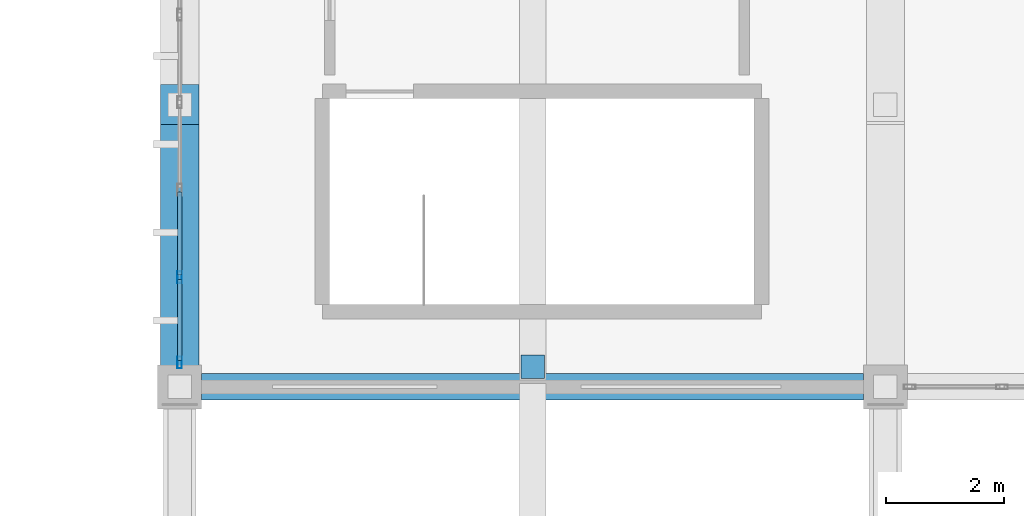
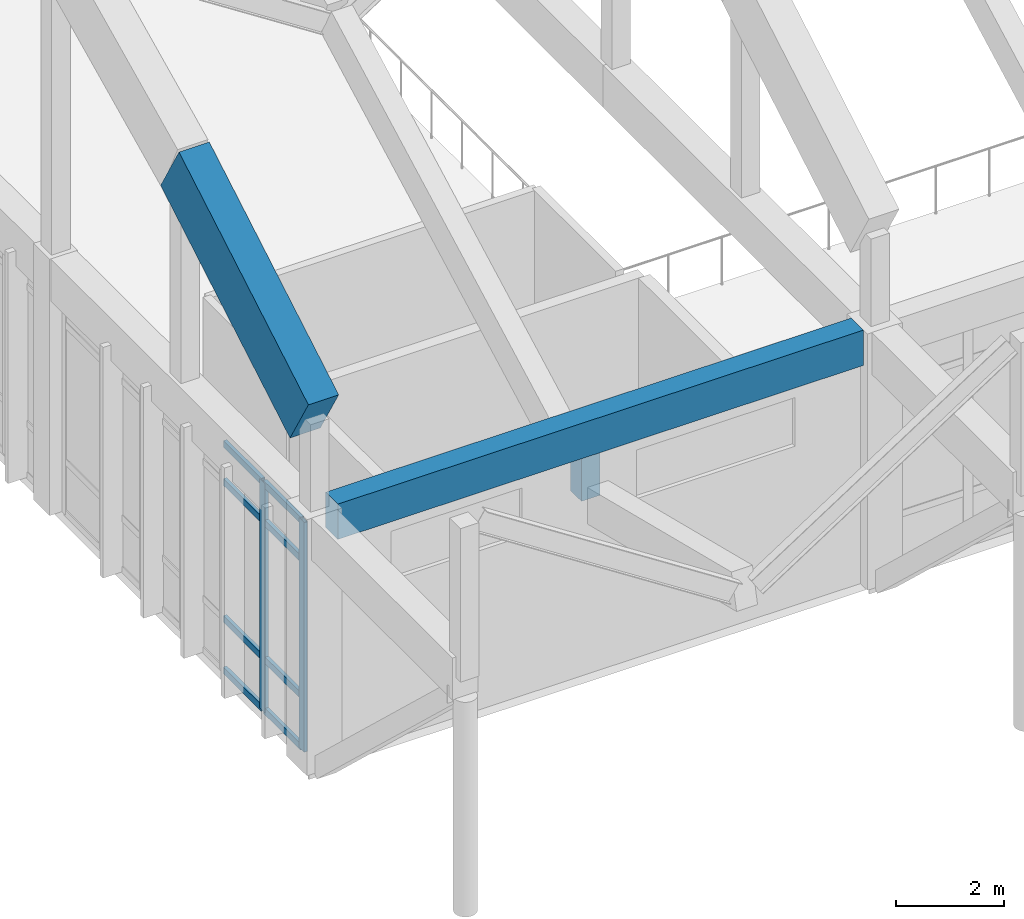
# One storey, part 28 of 236: 12 members, 1 beam, 1 element without a shape of its own.
"""IFC4 building model written with IfcOpenShell, lengths in metres."""

from ifc_helpers import new_model, si_unit, direction, frame, origin, origin_2d, place, context, subcontext, project, spatial, rectangle, hollow_rectangle, extrude, material, layer, layer_set, material_profile, profile_set, type_object, element, aggregate, save


model = new_model("IFC4")

# Units and contexts
model_context = context("Model", 3, precision=1e-05, world=origin(), true_north=direction((0.0, 1.0)))
body_context = subcontext(model_context, "Body", "Model", "MODEL_VIEW")
ifc_project = project(units=[si_unit("LENGTHUNIT", "METRE"), si_unit("AREAUNIT", "SQUARE_METRE"), si_unit("VOLUMEUNIT", "CUBIC_METRE"), si_unit("PLANEANGLEUNIT", "RADIAN"), si_unit("MASSUNIT", "GRAM", prefix="KILO")], contexts=[model_context])

# Site, building, storey
site_placement = place(None, origin())
site = spatial("IfcSite", under=ifc_project, at=site_placement, CompositionType="ELEMENT")
building_placement = place(site_placement, origin())
building = spatial("IfcBuilding", under=site, at=building_placement, Name="Pandanus Reach Market Hall", CompositionType="ELEMENT")
storey_placement = place(building_placement, frame((0.0, 0.0, 5.39990234375)))
storey = spatial("IfcBuildingStorey", under=building, at=storey_placement, Name="L01", CompositionType="ELEMENT", Elevation=5.39990234375)

# Members
ifc_material_1 = material(Name="Concrete N50 (50 MPa)", Category="concrete")
ifc_material_profile_1 = material_profile(ifc_material_1, rectangle(XDim=0.64990234375, YDim=1.35009765625, at=origin_2d()), Name="RC650x1350", Category="LoadBearing")
ifc_profile_set_1 = profile_set([ifc_material_profile_1], Name="Concrete N50 (50 MPa)")
member_type_1 = type_object("IfcMemberType", Name="AR-RC650-E", PredefinedType="CHORD", material=ifc_profile_set_1)
member_1_placement = place(storey_placement, frame((48.0, 28.800048828125, 7.780029296875), z_axis=(0.0, 0.862897305689, 0.505379302935), x_axis=(-1.0, 0.0, 0.0)))
element("IfcMember", 1, at=member_1_placement, inside=storey, type_object=member_type_1, Name="Parabolic arch top chord A1.1", PredefinedType="CHORD", context=body_context, shape_type="SweptSolid", body=[
    extrude(rectangle(XDim=0.64990234375, YDim=1.35009765625, at=origin_2d()), origin(), (0.0, 0.0, 1.0), 5.562744140625),
])
ifc_material_profile_2 = material_profile(ifc_material_1, rectangle(XDim=0.39990234375, YDim=0.39990234375, at=origin_2d()), Name="RC400x400", Category="LoadBearing")
ifc_profile_set_2 = profile_set([ifc_material_profile_2], Name="Concrete N50 (50 MPa)")
member_type_2 = type_object("IfcMemberType", Name="AR-WEB400-E", PredefinedType="STRUT", material=ifc_profile_set_2)
member_2_placement = place(storey_placement, frame((54.0, 29.139892578125, 3.739990234375), z_axis=(0.0, 0.0, 1.0), x_axis=(1.0, 0.0, 0.0)))
element("IfcMember", 2, at=member_2_placement, inside=storey, type_object=member_type_2, Name="Butterfly south eave valley hanger B1S", PredefinedType="STRUT", context=body_context, shape_type="SweptSolid", body=[
    extrude(rectangle(XDim=0.39990234375, YDim=0.39990234375, at=origin_2d()), origin(), (0.0, 0.0, 1.0), 1.66015625),
])

# Beam
ifc_material_2 = material(Name="Concrete N40 (40 MPa)", Category="concrete")
ifc_material_profile_3 = material_profile(ifc_material_2, rectangle(XDim=0.449951171875, YDim=0.800048828125, at=origin_2d()), Name="RC450x800", Category="LoadBearing")
ifc_profile_set_3 = profile_set([ifc_material_profile_3], Name="Concrete N40 (40 MPa)")
beam_type = type_object("IfcBeamType", Name="BM-RC450-E", PredefinedType="SPANDREL", material=ifc_profile_set_3)
beam_placement = place(storey_placement, frame((48.373046875, 28.800048828125, 5.400146484375), z_axis=(1.0, 0.0, 0.0), x_axis=(0.0, 1.0, 0.0)))
element("IfcBeam", 3, at=beam_placement, inside=storey, type_object=beam_type, Name="Framing beam BM-RC450-E L01.1138", PredefinedType="SPANDREL", context=body_context, shape_type="SweptSolid", body=[
    extrude(rectangle(XDim=0.449951171875, YDim=0.800048828125, at=origin_2d()), origin(), (0.0, 0.0, 1.0), 11.25390625),
])

# Curtain wall, members
ifc_material_3 = material(Name="Bronze anodised aluminium and low-E glass", Category="aluminium")
ifc_layer = layer(ifc_material_3, 0.199951171875, Name="CW-04")
ifc_layer_set = layer_set([ifc_layer], Name="Bronze anodised aluminium and low-E glass")
curtain_wall_type = type_object("IfcCurtainWallType", Name="CW-04", PredefinedType="NOTDEFINED", material=ifc_layer_set)
curtain_wall_placement = place(storey_placement, origin())
curtain_wall = element("IfcCurtainWall", 4, at=curtain_wall_placement, inside=storey, type_object=curtain_wall_type, Name="Glazed curtain wall CW-04 CW-0019", PredefinedType="NOTDEFINED")
ifc_material_4 = material(Name="Bronze anodised aluminium", Category="aluminium")
ifc_material_profile_4 = material_profile(ifc_material_4, hollow_rectangle(XDim=0.074951171875, YDim=0.199951171875, WallThickness=0.00439453125, at=origin_2d()), Name="ALU75x200", Category="LoadBearing")
ifc_profile_set_4 = profile_set([ifc_material_profile_4], Name="Bronze anodised aluminium")
member_type_3 = type_object("IfcMemberType", Name="CW-M2", PredefinedType="MULLION", material=ifc_profile_set_4)
member_3_placement = place(storey_placement, frame((48.0, 29.21240234375, 0.0), z_axis=(0.0, 0.0, 1.0), x_axis=(-1.0, 0.0, 0.0)))
member_3 = element("IfcMember", 5, at=member_3_placement, type_object=member_type_3, Name="CW-04 mullion 1", PredefinedType="MULLION", context=body_context, shape_type="SweptSolid", body=[
    extrude(hollow_rectangle(XDim=0.074951171875, YDim=0.199951171875, WallThickness=0.00439453125, at=origin_2d()), origin(), (0.0, 0.0, 1.0), 5.2001953125),
])
member_4_placement = place(storey_placement, frame((48.0, 30.66259765625, 0.0), z_axis=(0.0, 0.0, 1.0), x_axis=(-1.0, 0.0, 0.0)))
member_4 = element("IfcMember", 6, at=member_4_placement, type_object=member_type_3, Name="CW-04 mullion 2", PredefinedType="MULLION", context=body_context, shape_type="SweptSolid", body=[
    extrude(hollow_rectangle(XDim=0.074951171875, YDim=0.199951171875, WallThickness=0.00439453125, at=origin_2d()), origin(), (0.0, 0.0, 1.0), 5.2001953125),
])
ifc_material_profile_5 = material_profile(ifc_material_4, hollow_rectangle(XDim=0.074951171875, YDim=0.14990234375, WallThickness=0.00439453125, at=origin_2d()), Name="ALU75x150", Category="LoadBearing")
ifc_profile_set_5 = profile_set([ifc_material_profile_5], Name="Bronze anodised aluminium")
member_type_4 = type_object("IfcMemberType", Name="CW-T2", PredefinedType="USERDEFINED", material=ifc_profile_set_5)
member_5_placement = place(storey_placement, frame((48.0, 29.25, 0.03759765625), z_axis=(0.0, 1.0, 0.0), x_axis=(-1.0, 0.0, 0.0)))
member_5 = element("IfcMember", 7, at=member_5_placement, type_object=member_type_4, Name="CW-04 transom 1.1", ObjectType="TRANSOM", PredefinedType="USERDEFINED", context=body_context, shape_type="SweptSolid", body=[
    extrude(hollow_rectangle(XDim=0.074951171875, YDim=0.14990234375, WallThickness=0.00439453125, at=origin_2d()), origin(), (0.0, 0.0, 1.0), 1.375),
])
member_6_placement = place(storey_placement, frame((48.0, 29.25, 1.2001953125), z_axis=(0.0, 1.0, 0.0), x_axis=(-1.0, 0.0, 0.0)))
member_6 = element("IfcMember", 8, at=member_6_placement, type_object=member_type_4, Name="CW-04 transom 1.2", ObjectType="TRANSOM", PredefinedType="USERDEFINED", context=body_context, shape_type="SweptSolid", body=[
    extrude(hollow_rectangle(XDim=0.074951171875, YDim=0.14990234375, WallThickness=0.00439453125, at=origin_2d()), origin(), (0.0, 0.0, 1.0), 1.375),
])
member_7_placement = place(storey_placement, frame((48.0, 29.25, 4.300048828125), z_axis=(0.0, 1.0, 0.0), x_axis=(-1.0, 0.0, 0.0)))
member_7 = element("IfcMember", 9, at=member_7_placement, type_object=member_type_4, Name="CW-04 transom 1.3", ObjectType="TRANSOM", PredefinedType="USERDEFINED", context=body_context, shape_type="SweptSolid", body=[
    extrude(hollow_rectangle(XDim=0.074951171875, YDim=0.14990234375, WallThickness=0.00439453125, at=origin_2d()), origin(), (0.0, 0.0, 1.0), 1.375),
])
member_8_placement = place(storey_placement, frame((48.0, 29.25, 5.16259765625), z_axis=(0.0, 1.0, 0.0), x_axis=(-1.0, 0.0, 0.0)))
member_8 = element("IfcMember", 10, at=member_8_placement, type_object=member_type_4, Name="CW-04 transom 1.4", ObjectType="TRANSOM", PredefinedType="USERDEFINED", context=body_context, shape_type="SweptSolid", body=[
    extrude(hollow_rectangle(XDim=0.074951171875, YDim=0.14990234375, WallThickness=0.00439453125, at=origin_2d()), origin(), (0.0, 0.0, 1.0), 1.375),
])
member_9_placement = place(storey_placement, frame((48.0, 30.699951171875, 0.03759765625), z_axis=(0.0, 1.0, 0.0), x_axis=(-1.0, 0.0, 0.0)))
member_9 = element("IfcMember", 11, at=member_9_placement, type_object=member_type_4, Name="CW-04 transom 2.1", ObjectType="TRANSOM", PredefinedType="USERDEFINED", context=body_context, shape_type="SweptSolid", body=[
    extrude(hollow_rectangle(XDim=0.074951171875, YDim=0.14990234375, WallThickness=0.00439453125, at=origin_2d()), origin(), (0.0, 0.0, 1.0), 1.41259765625),
])
member_10_placement = place(storey_placement, frame((48.0, 30.699951171875, 1.2001953125), z_axis=(0.0, 1.0, 0.0), x_axis=(-1.0, 0.0, 0.0)))
member_10 = element("IfcMember", 12, at=member_10_placement, type_object=member_type_4, Name="CW-04 transom 2.2", ObjectType="TRANSOM", PredefinedType="USERDEFINED", context=body_context, shape_type="SweptSolid", body=[
    extrude(hollow_rectangle(XDim=0.074951171875, YDim=0.14990234375, WallThickness=0.00439453125, at=origin_2d()), origin(), (0.0, 0.0, 1.0), 1.41259765625),
])
member_11_placement = place(storey_placement, frame((48.0, 30.699951171875, 4.300048828125), z_axis=(0.0, 1.0, 0.0), x_axis=(-1.0, 0.0, 0.0)))
member_11 = element("IfcMember", 13, at=member_11_placement, type_object=member_type_4, Name="CW-04 transom 2.3", ObjectType="TRANSOM", PredefinedType="USERDEFINED", context=body_context, shape_type="SweptSolid", body=[
    extrude(hollow_rectangle(XDim=0.074951171875, YDim=0.14990234375, WallThickness=0.00439453125, at=origin_2d()), origin(), (0.0, 0.0, 1.0), 1.41259765625),
])
member_12_placement = place(storey_placement, frame((48.0, 30.699951171875, 5.16259765625), z_axis=(0.0, 1.0, 0.0), x_axis=(-1.0, 0.0, 0.0)))
member_12 = element("IfcMember", 14, at=member_12_placement, type_object=member_type_4, Name="CW-04 transom 2.4", ObjectType="TRANSOM", PredefinedType="USERDEFINED", context=body_context, shape_type="SweptSolid", body=[
    extrude(hollow_rectangle(XDim=0.074951171875, YDim=0.14990234375, WallThickness=0.00439453125, at=origin_2d()), origin(), (0.0, 0.0, 1.0), 1.41259765625),
])
aggregate(curtain_wall, [member_3, member_4, member_5, member_6, member_7, member_8, member_9, member_10, member_11, member_12])

save(model, "model.ifc")
